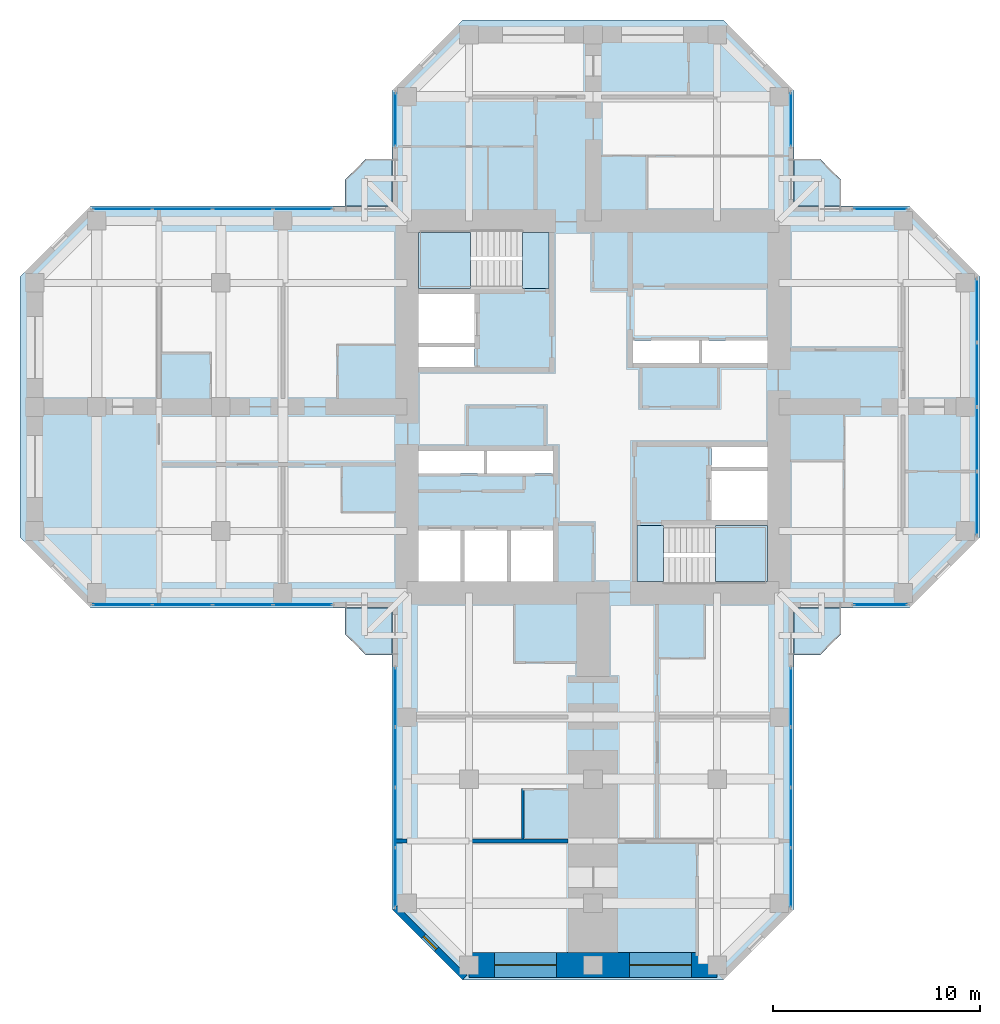
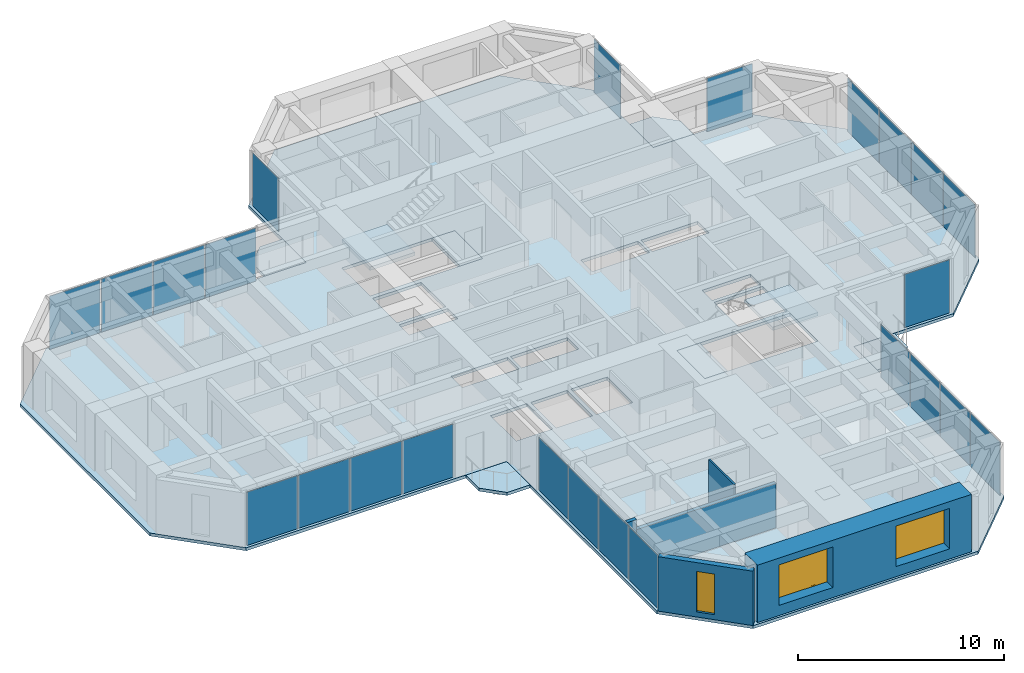
# One storey, part 7 of 14: 24 plates, 9 slabs, 5 walls, 3 windows, 3 openings, 11 elements without a shape of their own.
"""IFC4 building model written with IfcOpenShell, lengths in metres."""

from ifc_helpers import new_model, si_unit, direction, frame, frame_2d, origin, origin_2d, place, context, subcontext, project, spatial, polyline, rectangle, hollow_rectangle, outline, extrude, material, layer, layer_set, constituent, constituent_set, type_object, element, fill, aggregate, save


model = new_model("IFC4")

# Units and contexts
model_context = context("Model", 3, precision=1e-05, world=origin(), true_north=direction((0.0, 1.0)))
body_context = subcontext(model_context, "Body", "Model", "MODEL_VIEW")
ifc_project = project(units=[si_unit("LENGTHUNIT", "METRE"), si_unit("AREAUNIT", "SQUARE_METRE"), si_unit("VOLUMEUNIT", "CUBIC_METRE"), si_unit("PLANEANGLEUNIT", "RADIAN"), si_unit("MASSUNIT", "GRAM", prefix="KILO")], contexts=[model_context])

# Site, building, storey
site_placement = place(None, origin())
site = spatial("IfcSite", under=ifc_project, at=site_placement, CompositionType="ELEMENT")
building_placement = place(site_placement, origin())
building = spatial("IfcBuilding", under=site, at=building_placement, Name="Torre Cruceta", CompositionType="ELEMENT")
storey_placement = place(building_placement, frame((0.0, 0.0, 206.89990234375)))
storey = spatial("IfcBuildingStorey", under=building, at=storey_placement, Name="L52", CompositionType="ELEMENT", Elevation=206.89990234375)

# Slabs
ifc_material_1 = material(Name="Concrete G35 (fck 35 MPa)", Category="concrete")
ifc_layer_1 = layer(ifc_material_1, 0.179931640625)
ifc_layer_set_1 = layer_set([ifc_layer_1], Name="Concrete G35 (fck 35 MPa)")
slab_type_1 = type_object("IfcSlabType", Name="BALCONY SLAB 180", PredefinedType="USERDEFINED", material=ifc_layer_set_1)
slab_1_placement = place(storey_placement, frame((0.0, 0.0, -0.179931640625)))
element("IfcSlab", 1, at=slab_1_placement, inside=storey, type_object=slab_type_1, Name="Balcony slab L52 N", ObjectType="BALCONY", PredefinedType="USERDEFINED", context=body_context, shape_type="SweptSolid", body=[
    extrude(outline(polyline([(-12.0, 11.0), (-11.0, 12.0), (-9.719970703125, 12.0), (-9.719970703125, 9.719970703125), (-12.0, 9.719970703125), (-12.0, 11.0)])), origin(), (0.0, 0.0, 1.0), 0.179931640625),
])
slab_2_placement = place(storey_placement, frame((0.0, 0.0, -0.179931640625)))
element("IfcSlab", 2, at=slab_2_placement, inside=storey, type_object=slab_type_1, Name="Balcony slab L52 E", ObjectType="BALCONY", PredefinedType="USERDEFINED", context=body_context, shape_type="SweptSolid", body=[
    extrude(outline(polyline([(11.0, 12.0), (12.0, 11.0), (12.0, 9.719970703125), (9.719970703125, 9.719970703125), (9.719970703125, 12.0), (11.0, 12.0)])), origin(), (0.0, 0.0, 1.0), 0.179931640625),
])
slab_3_placement = place(storey_placement, frame((0.0, 0.0, -0.179931640625)))
element("IfcSlab", 3, at=slab_3_placement, inside=storey, type_object=slab_type_1, Name="Balcony slab L52 S", ObjectType="BALCONY", PredefinedType="USERDEFINED", context=body_context, shape_type="SweptSolid", body=[
    extrude(outline(polyline([(12.0, -11.0), (11.0, -12.0), (9.719970703125, -12.0), (9.719970703125, -9.719970703125), (12.0, -9.719970703125), (12.0, -11.0)])), origin(), (0.0, 0.0, 1.0), 0.179931640625),
])
slab_4_placement = place(storey_placement, frame((0.0, 0.0, -0.179931640625)))
element("IfcSlab", 4, at=slab_4_placement, inside=storey, type_object=slab_type_1, Name="Balcony slab L52 W", ObjectType="BALCONY", PredefinedType="USERDEFINED", context=body_context, shape_type="SweptSolid", body=[
    extrude(outline(polyline([(-11.0, -12.0), (-12.0, -11.0), (-12.0, -9.719970703125), (-9.719970703125, -9.719970703125), (-9.719970703125, -12.0), (-11.0, -12.0)])), origin(), (0.0, 0.0, 1.0), 0.179931640625),
])

# Curtain wall, plate
ifc_material_2 = material(Name="Aluminium unitised curtain wall", Category="aluminium")
curtain_wall_type = type_object("IfcCurtainWallType", Name="CURTAIN WALL CW-C CO-LIVING", PredefinedType="USERDEFINED", material=ifc_material_2)
curtain_wall_1_placement = place(storey_placement, origin())
curtain_wall_1 = element("IfcCurtainWall", 5, at=curtain_wall_1_placement, inside=storey, type_object=curtain_wall_type, Name="CW-C L52 E tip 02", ObjectType="UNITISED", PredefinedType="USERDEFINED")
ifc_material_3 = material(Name="Laminated insulating glass unit, diagonal frit 50 %", Category="glass")
ifc_material_4 = material(Name="Laminated insulating glass unit, diagonal frit 50 %", Category="glass")
ifc_layer_2 = layer(ifc_material_4, 0.030029296875)
ifc_layer_set_2 = layer_set([ifc_layer_2], Name="Laminated insulating glass unit, diagonal frit 50 %")
plate_type_1 = type_object("IfcPlateType", Name="CW-C OPERABLE VENT PANEL 30", PredefinedType="CURTAIN_PANEL", material=ifc_layer_set_2)
plate_1_placement = place(storey_placement, frame((18.570068359375, -1.55908203125, 0.01025390625), z_axis=(0.0, 0.0, 1.0), x_axis=(0.0, 1.0, 0.0)))
plate_1 = element("IfcPlate", 6, at=plate_1_placement, type_object=plate_type_1, material=ifc_material_3, Name="CW-C vent 2", PredefinedType="CURTAIN_PANEL", context=body_context, shape_type="SweptSolid", body=[
    extrude(rectangle(XDim=3.05810546875, YDim=0.030029296875, at=origin_2d()), origin(), (0.0, 0.0, 1.0), 3.14990234375),
])

curtain_wall_2_placement = place(storey_placement, origin())
curtain_wall_2 = element("IfcCurtainWall", 7, at=curtain_wall_2_placement, inside=storey, type_object=curtain_wall_type, Name="CW-C L52 W side 10", ObjectType="UNITISED", PredefinedType="USERDEFINED")
plate_2_placement = place(storey_placement, frame((-16.94482421875, 9.570068359375, 0.01025390625), z_axis=(0.0, 0.0, 1.0), x_axis=(-1.0, 0.0, 0.0)))
plate_2 = element("IfcPlate", 8, at=plate_2_placement, type_object=plate_type_1, material=ifc_material_3, Name="CW-C vent 2", PredefinedType="CURTAIN_PANEL", context=body_context, shape_type="SweptSolid", body=[
    extrude(rectangle(XDim=2.8564453125, YDim=0.030029296875, at=origin_2d()), origin(), (0.0, 0.0, 1.0), 3.14990234375),
])

curtain_wall_3_placement = place(storey_placement, origin())
curtain_wall_3 = element("IfcCurtainWall", 9, at=curtain_wall_3_placement, inside=storey, type_object=curtain_wall_type, Name="CW-C L52 W side 14", ObjectType="UNITISED", PredefinedType="USERDEFINED")
plate_3_placement = place(storey_placement, frame((-19.861328125, -9.570068359375, 0.01025390625), z_axis=(0.0, 0.0, 1.0), x_axis=(1.0, 0.0, 0.0)))
plate_3 = element("IfcPlate", 10, at=plate_3_placement, type_object=plate_type_1, material=ifc_material_3, Name="CW-C vent 2", PredefinedType="CURTAIN_PANEL", context=body_context, shape_type="SweptSolid", body=[
    extrude(rectangle(XDim=2.8564453125, YDim=0.030029296875, at=origin_2d()), origin(), (0.0, 0.0, 1.0), 3.14990234375),
])

curtain_wall_4_placement = place(storey_placement, origin())
curtain_wall_4 = element("IfcCurtainWall", 11, at=curtain_wall_4_placement, inside=storey, type_object=curtain_wall_type, Name="CW-C L52 S side 15", ObjectType="UNITISED", PredefinedType="USERDEFINED")
plate_4_placement = place(storey_placement, frame((-9.570068359375, -16.94482421875, 0.01025390625), z_axis=(0.0, 0.0, 1.0), x_axis=(0.0, -1.0, 0.0)))
plate_4 = element("IfcPlate", 12, at=plate_4_placement, type_object=plate_type_1, material=ifc_material_3, Name="CW-C vent 2", PredefinedType="CURTAIN_PANEL", context=body_context, shape_type="SweptSolid", body=[
    extrude(rectangle(XDim=2.8564453125, YDim=0.030029296875, at=origin_2d()), origin(), (0.0, 0.0, 1.0), 3.14990234375),
])

curtain_wall_5_placement = place(storey_placement, origin())
curtain_wall_5 = element("IfcCurtainWall", 13, at=curtain_wall_5_placement, inside=storey, type_object=curtain_wall_type, Name="CW-C L52 S side 19", ObjectType="UNITISED", PredefinedType="USERDEFINED")
plate_5_placement = place(storey_placement, frame((9.570068359375, -19.861328125, 0.01025390625), z_axis=(0.0, 0.0, 1.0), x_axis=(0.0, 1.0, 0.0)))
plate_5 = element("IfcPlate", 14, at=plate_5_placement, type_object=plate_type_1, material=ifc_material_3, Name="CW-C vent 2", PredefinedType="CURTAIN_PANEL", context=body_context, shape_type="SweptSolid", body=[
    extrude(rectangle(XDim=2.8564453125, YDim=0.030029296875, at=origin_2d()), origin(), (0.0, 0.0, 1.0), 3.14990234375),
])

curtain_wall_6_placement = place(storey_placement, origin())
curtain_wall_6 = element("IfcCurtainWall", 15, at=curtain_wall_6_placement, inside=storey, type_object=curtain_wall_type, Name="CW-C L52 E side 00", ObjectType="UNITISED", PredefinedType="USERDEFINED")
ifc_material_5 = material(Name="Laminated insulating glass unit, diagonal frit 50 %", Category="glass")
ifc_layer_3 = layer(ifc_material_5, 0.030029296875)
ifc_layer_set_3 = layer_set([ifc_layer_3], Name="Laminated insulating glass unit, diagonal frit 50 %")
plate_type_2 = type_object("IfcPlateType", Name="CW-C PANEL 30", PredefinedType="CURTAIN_PANEL", material=ifc_layer_set_3)
plate_6_placement = place(storey_placement, frame((13.903076171875, -9.570068359375, 0.01025390625), z_axis=(0.0, 0.0, 1.0), x_axis=(1.0, 0.0, 0.0)))
plate_6 = element("IfcPlate", 16, at=plate_6_placement, type_object=plate_type_2, material=ifc_material_3, Name="CW-C panel 1", PredefinedType="CURTAIN_PANEL", context=body_context, shape_type="SweptSolid", body=[
    extrude(rectangle(XDim=2.546142578125, YDim=0.030029296875, at=origin_2d()), origin(), (0.0, 0.0, 1.0), 3.14990234375),
])
aggregate(curtain_wall_6, [plate_6])

# Plate
plate_7_placement = place(storey_placement, frame((18.570068359375, -4.662109375, 0.01025390625), z_axis=(0.0, 0.0, 1.0), x_axis=(0.0, 1.0, 0.0)))
plate_7 = element("IfcPlate", 17, at=plate_7_placement, type_object=plate_type_2, material=ifc_material_3, Name="CW-C panel 1", PredefinedType="CURTAIN_PANEL", context=body_context, shape_type="SweptSolid", body=[
    extrude(rectangle(XDim=3.028076171875, YDim=0.030029296875, at=origin_2d()), origin(), (0.0, 0.0, 1.0), 3.14990234375),
])

ifc_material_6 = material(Name="Laminated insulating glass unit, low-iron clear", Category="glass")
plate_8_placement = place(storey_placement, frame((18.570068359375, 1.55908203125, 0.01025390625), z_axis=(0.0, 0.0, 1.0), x_axis=(0.0, 1.0, 0.0)))
plate_8 = element("IfcPlate", 18, at=plate_8_placement, type_object=plate_type_2, material=ifc_material_6, Name="CW-C panel 3", PredefinedType="CURTAIN_PANEL", context=body_context, shape_type="SweptSolid", body=[
    extrude(rectangle(XDim=3.05810546875, YDim=0.030029296875, at=origin_2d()), origin(), (0.0, 0.0, 1.0), 3.14990234375),
])

plate_9_placement = place(storey_placement, frame((18.570068359375, 4.662109375, 0.01025390625), z_axis=(0.0, 0.0, 1.0), x_axis=(0.0, 1.0, 0.0)))
plate_9 = element("IfcPlate", 19, at=plate_9_placement, type_object=plate_type_2, material=ifc_material_6, Name="CW-C panel 4", PredefinedType="CURTAIN_PANEL", context=body_context, shape_type="SweptSolid", body=[
    extrude(rectangle(XDim=3.028076171875, YDim=0.030029296875, at=origin_2d()), origin(), (0.0, 0.0, 1.0), 3.14990234375),
])

aggregate(curtain_wall_1, [plate_7, plate_1, plate_8, plate_9])

# Curtain wall, plate
curtain_wall_7_placement = place(storey_placement, origin())
curtain_wall_7 = element("IfcCurtainWall", 20, at=curtain_wall_7_placement, inside=storey, type_object=curtain_wall_type, Name="CW-C L52 E side 04", ObjectType="UNITISED", PredefinedType="USERDEFINED")
plate_10_placement = place(storey_placement, frame((13.903076171875, 9.570068359375, 0.01025390625), z_axis=(0.0, 0.0, 1.0), x_axis=(-1.0, 0.0, 0.0)))
plate_10 = element("IfcPlate", 21, at=plate_10_placement, type_object=plate_type_2, material=ifc_material_3, Name="CW-C panel 1", PredefinedType="CURTAIN_PANEL", context=body_context, shape_type="SweptSolid", body=[
    extrude(rectangle(XDim=2.546142578125, YDim=0.030029296875, at=origin_2d()), origin(), (0.0, 0.0, 1.0), 3.14990234375),
])
aggregate(curtain_wall_7, [plate_10])

curtain_wall_8_placement = place(storey_placement, origin())
curtain_wall_8 = element("IfcCurtainWall", 22, at=curtain_wall_8_placement, inside=storey, type_object=curtain_wall_type, Name="CW-C L52 N side 05", ObjectType="UNITISED", PredefinedType="USERDEFINED")
plate_11_placement = place(storey_placement, frame((9.570068359375, 13.903076171875, 0.01025390625), z_axis=(0.0, 0.0, 1.0), x_axis=(0.0, 1.0, 0.0)))
plate_11 = element("IfcPlate", 23, at=plate_11_placement, type_object=plate_type_2, material=ifc_material_3, Name="CW-C panel 1", PredefinedType="CURTAIN_PANEL", context=body_context, shape_type="SweptSolid", body=[
    extrude(rectangle(XDim=2.546142578125, YDim=0.030029296875, at=origin_2d()), origin(), (0.0, 0.0, 1.0), 3.14990234375),
])
aggregate(curtain_wall_8, [plate_11])

curtain_wall_9_placement = place(storey_placement, origin())
curtain_wall_9 = element("IfcCurtainWall", 24, at=curtain_wall_9_placement, inside=storey, type_object=curtain_wall_type, Name="CW-C L52 N side 09", ObjectType="UNITISED", PredefinedType="USERDEFINED")
plate_12_placement = place(storey_placement, frame((-9.570068359375, 13.903076171875, 0.01025390625), z_axis=(0.0, 0.0, 1.0), x_axis=(0.0, -1.0, 0.0)))
plate_12 = element("IfcPlate", 25, at=plate_12_placement, type_object=plate_type_2, material=ifc_material_3, Name="CW-C panel 1", PredefinedType="CURTAIN_PANEL", context=body_context, shape_type="SweptSolid", body=[
    extrude(rectangle(XDim=2.546142578125, YDim=0.030029296875, at=origin_2d()), origin(), (0.0, 0.0, 1.0), 3.14990234375),
])
aggregate(curtain_wall_9, [plate_12])

# Plate
plate_13_placement = place(storey_placement, frame((-14.043212890625, 9.570068359375, 0.01025390625), z_axis=(0.0, 0.0, 1.0), x_axis=(-1.0, 0.0, 0.0)))
plate_13 = element("IfcPlate", 26, at=plate_13_placement, type_object=plate_type_2, material=ifc_material_3, Name="CW-C panel 1", PredefinedType="CURTAIN_PANEL", context=body_context, shape_type="SweptSolid", body=[
    extrude(rectangle(XDim=2.826416015625, YDim=0.030029296875, at=origin_2d()), origin(), (0.0, 0.0, 1.0), 3.14990234375),
])

plate_14_placement = place(storey_placement, frame((-19.861328125, 9.570068359375, 0.01025390625), z_axis=(0.0, 0.0, 1.0), x_axis=(-1.0, 0.0, 0.0)))
plate_14 = element("IfcPlate", 27, at=plate_14_placement, type_object=plate_type_2, material=ifc_material_6, Name="CW-C panel 3", PredefinedType="CURTAIN_PANEL", context=body_context, shape_type="SweptSolid", body=[
    extrude(rectangle(XDim=2.8564453125, YDim=0.030029296875, at=origin_2d()), origin(), (0.0, 0.0, 1.0), 3.14990234375),
])

plate_15_placement = place(storey_placement, frame((-22.762939453125, 9.570068359375, 0.01025390625), z_axis=(0.0, 0.0, 1.0), x_axis=(-1.0, 0.0, 0.0)))
plate_15 = element("IfcPlate", 28, at=plate_15_placement, type_object=plate_type_2, material=ifc_material_6, Name="CW-C panel 4", PredefinedType="CURTAIN_PANEL", context=body_context, shape_type="SweptSolid", body=[
    extrude(rectangle(XDim=2.826416015625, YDim=0.030029296875, at=origin_2d()), origin(), (0.0, 0.0, 1.0), 3.14990234375),
])

aggregate(curtain_wall_2, [plate_13, plate_2, plate_14, plate_15])

plate_16_placement = place(storey_placement, frame((-22.762939453125, -9.570068359375, 0.01025390625), z_axis=(0.0, 0.0, 1.0), x_axis=(1.0, 0.0, 0.0)))
plate_16 = element("IfcPlate", 29, at=plate_16_placement, type_object=plate_type_2, material=ifc_material_3, Name="CW-C panel 1", PredefinedType="CURTAIN_PANEL", context=body_context, shape_type="SweptSolid", body=[
    extrude(rectangle(XDim=2.826416015625, YDim=0.030029296875, at=origin_2d()), origin(), (0.0, 0.0, 1.0), 3.14990234375),
])

plate_17_placement = place(storey_placement, frame((-16.94482421875, -9.570068359375, 0.01025390625), z_axis=(0.0, 0.0, 1.0), x_axis=(1.0, 0.0, 0.0)))
plate_17 = element("IfcPlate", 30, at=plate_17_placement, type_object=plate_type_2, material=ifc_material_6, Name="CW-C panel 3", PredefinedType="CURTAIN_PANEL", context=body_context, shape_type="SweptSolid", body=[
    extrude(rectangle(XDim=2.8564453125, YDim=0.030029296875, at=origin_2d()), origin(), (0.0, 0.0, 1.0), 3.14990234375),
])

plate_18_placement = place(storey_placement, frame((-14.043212890625, -9.570068359375, 0.01025390625), z_axis=(0.0, 0.0, 1.0), x_axis=(1.0, 0.0, 0.0)))
plate_18 = element("IfcPlate", 31, at=plate_18_placement, type_object=plate_type_2, material=ifc_material_6, Name="CW-C panel 4", PredefinedType="CURTAIN_PANEL", context=body_context, shape_type="SweptSolid", body=[
    extrude(rectangle(XDim=2.826416015625, YDim=0.030029296875, at=origin_2d()), origin(), (0.0, 0.0, 1.0), 3.14990234375),
])

aggregate(curtain_wall_3, [plate_16, plate_3, plate_17, plate_18])

plate_19_placement = place(storey_placement, frame((-9.570068359375, -14.043212890625, 0.01025390625), z_axis=(0.0, 0.0, 1.0), x_axis=(0.0, -1.0, 0.0)))
plate_19 = element("IfcPlate", 32, at=plate_19_placement, type_object=plate_type_2, material=ifc_material_3, Name="CW-C panel 1", PredefinedType="CURTAIN_PANEL", context=body_context, shape_type="SweptSolid", body=[
    extrude(rectangle(XDim=2.826416015625, YDim=0.030029296875, at=origin_2d()), origin(), (0.0, 0.0, 1.0), 3.14990234375),
])

plate_20_placement = place(storey_placement, frame((-9.570068359375, -19.861328125, 0.01025390625), z_axis=(0.0, 0.0, 1.0), x_axis=(0.0, -1.0, 0.0)))
plate_20 = element("IfcPlate", 33, at=plate_20_placement, type_object=plate_type_2, material=ifc_material_6, Name="CW-C panel 3", PredefinedType="CURTAIN_PANEL", context=body_context, shape_type="SweptSolid", body=[
    extrude(rectangle(XDim=2.8564453125, YDim=0.030029296875, at=origin_2d()), origin(), (0.0, 0.0, 1.0), 3.14990234375),
])

plate_21_placement = place(storey_placement, frame((-9.570068359375, -22.762939453125, 0.01025390625), z_axis=(0.0, 0.0, 1.0), x_axis=(0.0, -1.0, 0.0)))
plate_21 = element("IfcPlate", 34, at=plate_21_placement, type_object=plate_type_2, material=ifc_material_6, Name="CW-C panel 4", PredefinedType="CURTAIN_PANEL", context=body_context, shape_type="SweptSolid", body=[
    extrude(rectangle(XDim=2.826416015625, YDim=0.030029296875, at=origin_2d()), origin(), (0.0, 0.0, 1.0), 3.14990234375),
])

aggregate(curtain_wall_4, [plate_19, plate_4, plate_20, plate_21])

plate_22_placement = place(storey_placement, frame((9.570068359375, -22.762939453125, 0.01025390625), z_axis=(0.0, 0.0, 1.0), x_axis=(0.0, 1.0, 0.0)))
plate_22 = element("IfcPlate", 35, at=plate_22_placement, type_object=plate_type_2, material=ifc_material_3, Name="CW-C panel 1", PredefinedType="CURTAIN_PANEL", context=body_context, shape_type="SweptSolid", body=[
    extrude(rectangle(XDim=2.826416015625, YDim=0.030029296875, at=origin_2d()), origin(), (0.0, 0.0, 1.0), 3.14990234375),
])

plate_23_placement = place(storey_placement, frame((9.570068359375, -16.94482421875, 0.01025390625), z_axis=(0.0, 0.0, 1.0), x_axis=(0.0, 1.0, 0.0)))
plate_23 = element("IfcPlate", 36, at=plate_23_placement, type_object=plate_type_2, material=ifc_material_6, Name="CW-C panel 3", PredefinedType="CURTAIN_PANEL", context=body_context, shape_type="SweptSolid", body=[
    extrude(rectangle(XDim=2.8564453125, YDim=0.030029296875, at=origin_2d()), origin(), (0.0, 0.0, 1.0), 3.14990234375),
])

plate_24_placement = place(storey_placement, frame((9.570068359375, -14.043212890625, 0.01025390625), z_axis=(0.0, 0.0, 1.0), x_axis=(0.0, 1.0, 0.0)))
plate_24 = element("IfcPlate", 37, at=plate_24_placement, type_object=plate_type_2, material=ifc_material_6, Name="CW-C panel 4", PredefinedType="CURTAIN_PANEL", context=body_context, shape_type="SweptSolid", body=[
    extrude(rectangle(XDim=2.826416015625, YDim=0.030029296875, at=origin_2d()), origin(), (0.0, 0.0, 1.0), 3.14990234375),
])

aggregate(curtain_wall_5, [plate_22, plate_5, plate_23, plate_24])

# Slab
ifc_material_7 = material(Name="Concrete G35 (fck 35 MPa)", Category="concrete")
ifc_layer_4 = layer(ifc_material_7, 0.179931640625)
ifc_layer_set_4 = layer_set([ifc_layer_4], Name="Concrete G35 (fck 35 MPa)")
slab_type_2 = type_object("IfcSlabType", Name="FLOOR SLAB 180", PredefinedType="FLOOR", material=ifc_layer_set_4)
slab_5_placement = place(storey_placement, frame((0.0, 0.0, -0.179931640625)))
element("IfcSlab", 38, at=slab_5_placement, inside=storey, type_object=slab_type_2, Name="Floor Slab L52", PredefinedType="FLOOR", context=body_context, shape_type="SweptSolid", body=[
    extrude(outline(polyline([(9.719970703125, -9.719970703125), (9.719970703125, -24.29833984375), (6.29833984375, -27.719970703125), (-6.29833984375, -27.719970703125), (-9.719970703125, -24.29833984375), (-9.719970703125, -9.719970703125), (-24.29833984375, -9.719970703125), (-27.719970703125, -6.29833984375), (-27.719970703125, 6.29833984375), (-24.29833984375, 9.719970703125), (-9.719970703125, 9.719970703125), (-9.719970703125, 15.29833984375), (-6.29833984375, 18.719970703125), (6.29833984375, 18.719970703125), (9.719970703125, 15.29833984375), (9.719970703125, 9.719970703125), (15.29833984375, 9.719970703125), (18.719970703125, 6.29833984375), (18.719970703125, -6.29833984375), (15.29833984375, -9.719970703125), (9.719970703125, -9.719970703125)]), holes=[polyline([(1.925048828125, 2.125), (5.125, 2.125), (5.125, 3.22509765625), (1.925048828125, 3.22509765625), (1.925048828125, 2.125)]), polyline([(5.27490234375, 2.125), (8.449951171875, 2.125), (8.449951171875, 3.22509765625), (5.27490234375, 3.22509765625), (5.27490234375, 2.125)]), polyline([(-8.449951171875, 3.10009765625), (-5.72509765625, 3.10009765625), (-5.72509765625, 5.47509765625), (-8.449951171875, 5.47509765625), (-8.449951171875, 3.10009765625)]), polyline([(-8.449951171875, 1.925048828125), (-5.72509765625, 1.925048828125), (-5.72509765625, 2.89990234375), (-8.449951171875, 2.89990234375), (-8.449951171875, 1.925048828125)]), polyline([(-3.966552734375, -8.449951171875), (-1.925048828125, -8.449951171875), (-1.925048828125, -5.97509765625), (-3.966552734375, -5.97509765625), (-3.966552734375, -8.449951171875)]), polyline([(-6.208251953125, -8.449951171875), (-4.166748046875, -8.449951171875), (-4.166748046875, -5.97509765625), (-6.208251953125, -5.97509765625), (-6.208251953125, -8.449951171875)]), polyline([(-8.449951171875, -8.449951171875), (-6.408447265625, -8.449951171875), (-6.408447265625, -5.97509765625), (-8.449951171875, -5.97509765625), (-8.449951171875, -8.449951171875)]), polyline([(-5.125, -3.22509765625), (-1.925048828125, -3.22509765625), (-1.925048828125, -2.125), (-5.125, -2.125), (-5.125, -3.22509765625)]), polyline([(-8.449951171875, -3.22509765625), (-5.27490234375, -3.22509765625), (-5.27490234375, -2.125), (-8.449951171875, -2.125), (-8.449951171875, -3.22509765625)]), polyline([(5.72509765625, -5.47509765625), (8.449951171875, -5.47509765625), (8.449951171875, -3.10009765625), (5.72509765625, -3.10009765625), (5.72509765625, -5.47509765625)]), polyline([(5.72509765625, -2.89990234375), (8.449951171875, -2.89990234375), (8.449951171875, -1.925048828125), (5.72509765625, -1.925048828125), (5.72509765625, -2.89990234375)]), polyline([(-8.449951171875, 5.72509765625), (-8.449951171875, 8.449951171875), (-3.39990234375, 8.449951171875), (-2.125, 8.449951171875), (-2.125, 5.72509765625), (-3.39990234375, 5.72509765625), (-8.449951171875, 5.72509765625)]), polyline([(2.125, -5.72509765625), (3.39990234375, -5.72509765625), (8.449951171875, -5.72509765625), (8.449951171875, -8.449951171875), (3.39990234375, -8.449951171875), (2.125, -8.449951171875), (2.125, -5.72509765625)])]), origin(), (0.0, 0.0, 1.0), 0.179931640625),
])

# Stair, slab
ifc_material_8 = material(Name="Concrete G30 (fck 30 MPa)", Category="concrete")
stair_type = type_object("IfcStairType", Name="STAIR HALF-TURN 1300", PredefinedType="HALF_TURN_STAIR", material=ifc_material_8)
stair_1_placement = place(storey_placement, origin())
stair_1 = element("IfcStair", 39, at=stair_1_placement, inside=storey, type_object=stair_type, Name="Stair ST1 L52", PredefinedType="HALF_TURN_STAIR")
ifc_material_9 = material(Name="Concrete G30 (fck 30 MPa)", Category="concrete")
ifc_layer_5 = layer(ifc_material_9, 0.199951171875)
ifc_layer_set_5 = layer_set([ifc_layer_5], Name="Concrete G30 (fck 30 MPa)")
slab_type_3 = type_object("IfcSlabType", Name="STAIR LANDING 200", PredefinedType="LANDING", material=ifc_layer_set_5)
slab_6_placement = place(storey_placement, frame((0.0, 0.0, 1.5)))
slab_6 = element("IfcSlab", 40, at=slab_6_placement, type_object=slab_type_3, Name="ST1 landing 1", PredefinedType="LANDING", context=body_context, shape_type="SweptSolid", body=[
    extrude(outline(polyline([(-8.449951171875, 5.72509765625), (-5.919921875, 5.72509765625), (-5.919921875, 8.449951171875), (-8.449951171875, 8.449951171875), (-8.449951171875, 5.72509765625)])), origin(), (0.0, 0.0, 1.0), 0.2001953125),
])
aggregate(stair_1, [slab_6])

stair_2_placement = place(storey_placement, origin())
stair_2 = element("IfcStair", 41, at=stair_2_placement, inside=storey, type_object=stair_type, Name="Stair ST2 L52", PredefinedType="HALF_TURN_STAIR")
slab_7_placement = place(storey_placement, frame((0.0, 0.0, 1.5)))
slab_7 = element("IfcSlab", 42, at=slab_7_placement, type_object=slab_type_3, Name="ST2 landing 1", PredefinedType="LANDING", context=body_context, shape_type="SweptSolid", body=[
    extrude(outline(polyline([(5.919921875, -8.449951171875), (8.449951171875, -8.449951171875), (8.449951171875, -5.72509765625), (5.919921875, -5.72509765625), (5.919921875, -8.449951171875)])), origin(), (0.0, 0.0, 1.0), 0.2001953125),
])
aggregate(stair_2, [slab_7])

# Slabs
slab_8_placement = place(storey_placement, frame((0.0, 0.0, -0.199951171875)))
element("IfcSlab", 43, at=slab_8_placement, inside=storey, type_object=slab_type_3, Name="Stair ST1 floor landing L52", PredefinedType="LANDING", context=body_context, shape_type="SweptSolid", body=[
    extrude(outline(polyline([(-2.125, 8.449951171875), (-2.125, 5.72509765625), (-3.39990234375, 5.72509765625), (-3.39990234375, 8.449951171875), (-2.125, 8.449951171875)])), origin(), (0.0, 0.0, 1.0), 0.199951171875),
])
slab_9_placement = place(storey_placement, frame((0.0, 0.0, -0.199951171875)))
element("IfcSlab", 44, at=slab_9_placement, inside=storey, type_object=slab_type_3, Name="Stair ST2 floor landing L52", PredefinedType="LANDING", context=body_context, shape_type="SweptSolid", body=[
    extrude(outline(polyline([(2.125, -8.449951171875), (2.125, -5.72509765625), (3.39990234375, -5.72509765625), (3.39990234375, -8.449951171875), (2.125, -8.449951171875)])), origin(), (0.0, 0.0, 1.0), 0.199951171875),
])

# Wall
ifc_material_10 = material(Name="Water-resistant plasterboard on steel studs", Category="steel")
ifc_layer_6 = layer(ifc_material_10, 0.10009765625)
ifc_layer_set_6 = layer_set([ifc_layer_6], Name="Water-resistant plasterboard on steel studs")
wall_type_1 = type_object("IfcWallType", Name="BATHROOM WALL 100", PredefinedType="PARTITIONING", material=ifc_layer_set_6)
wall_1_placement = place(storey_placement, frame((-3.39990234375, -18.449951171875, 0.0), z_axis=(0.0, 0.0, 1.0), x_axis=(0.0, -1.0, 0.0)))
element("IfcWall", 45, at=wall_1_placement, inside=storey, type_object=wall_type_1, Name="PT4 L52-S-U2RBB", PredefinedType="PARTITIONING", context=body_context, shape_type="SweptSolid", body=[
    extrude(rectangle(XDim=2.449951171875, YDim=0.10009765625, at=frame_2d((1.22509765625, 0.0))), origin(), (0.0, 0.0, 1.0), 3.22021484375),
])

# Wall, opening, window
ifc_material_11 = material(Name="Concrete G30 (fck 30 MPa)", Category="concrete")
ifc_layer_7 = layer(ifc_material_11, 0.300048828125)
ifc_layer_set_7 = layer_set([ifc_layer_7], Name="Concrete G30 (fck 30 MPa)")
wall_type_2 = type_object("IfcWallType", Name="EXPOSED CONCRETE FACADE WALL 300", PredefinedType="SOLIDWALL", material=ifc_layer_set_7)
wall_2_placement = place(storey_placement, frame((-9.570068359375, -24.236083984375, 0.0), z_axis=(0.0, 0.0, 1.0), x_axis=(0.707106781187, -0.707106781187, 0.0)))
wall_2 = element("IfcWall", 46, at=wall_2_placement, inside=storey, type_object=wall_type_2, Name="EW1 facade wall L52 S chamfer 16", PredefinedType="SOLIDWALL", context=body_context, shape_type="SweptSolid", body=[
    extrude(rectangle(XDim=4.75732421875, YDim=0.300048828125, at=frame_2d((2.378662109375, 0.0))), origin(), (0.0, 0.0, 1.0), 3.22021484375),
])
opening_1_placement = place(wall_2_placement, frame((1.9287109375, 0.0, 0.300048828125)))
opening_1 = element("IfcOpeningElement", 47, at=opening_1_placement, cuts=wall_2, Name="Opening WN5", PredefinedType="OPENING", context=body_context, shape_type="SweptSolid", body=[
    extrude(rectangle(XDim=0.89990234375, YDim=2.39990234375, at=frame_2d((0.449951171875, 1.199951171875))), frame((0.0, 0.159912109375, 0.0), z_axis=(0.0, -1.0, 0.0), x_axis=(1.0, 0.0, 0.0)), (0.0, 0.0, 1.0), 0.320068359375),
])
ifc_material_12 = material(Name="Aluminium window frame", Category="aluminium")
ifc_constituent_1 = constituent(ifc_material_12, Name="Frame")
ifc_material_13 = material(Name="Laminated insulating glass unit, low-iron clear", Category="glass")
ifc_constituent_2 = constituent(ifc_material_13, Name="Glazing")
ifc_constituent_set_1 = constituent_set(constituents=[ifc_constituent_1, ifc_constituent_2], Name="Aluminium window")
window_type_1 = type_object("IfcWindowType", Name="CHAMFER SLOT WINDOW 900X2400", PartitioningType="SINGLE_PANEL", PredefinedType="WINDOW", material=ifc_constituent_set_1)
window_1_placement = place(opening_1_placement, origin())
window_1 = element("IfcWindow", 48, at=window_1_placement, inside=storey, type_object=window_type_1, Name="WN5 L52 S 1", OverallHeight=2.39990234375, OverallWidth=0.89990234375, PartitioningType="SINGLE_PANEL", PredefinedType="WINDOW", context=body_context, shape_type="SweptSolid", body=[
    extrude(hollow_rectangle(XDim=0.89990234375, YDim=2.39990234375, WallThickness=0.06005859375, at=frame_2d((0.449951171875, 1.199951171875))), frame((0.0, 0.030029296875, 0.0), z_axis=(0.0, -1.0, 0.0), x_axis=(1.0, 0.0, 0.0)), (0.0, 0.0, 1.0), 0.06005859375),
    extrude(rectangle(XDim=0.77880859375, YDim=2.27880859375, at=frame_2d((0.449951171875, 1.199951171875))), frame((0.0, 0.030029296875, 0.0), z_axis=(0.0, -1.0, 0.0), x_axis=(1.0, 0.0, 0.0)), (0.0, 0.0, 1.0), 0.06005859375),
])
fill(opening_1, window_1)

# Wall, openings, windows
ifc_material_14 = material(Name="Concrete G60 (fck 60 MPa)", Category="concrete")
ifc_layer_8 = layer(ifc_material_14, 1.199951171875)
ifc_layer_set_8 = layer_set([ifc_layer_8], Name="Concrete G60 (fck 60 MPa)")
wall_type_3 = type_object("IfcWallType", Name="NOSE WALL 1200 G60", PredefinedType="SHEAR", material=ifc_layer_set_8)
wall_3_placement = place(storey_placement, frame((-6.0, -27.0, 0.0), z_axis=(0.0, 0.0, 1.0), x_axis=(1.0, 0.0, 0.0)))
wall_3 = element("IfcWall", 49, at=wall_3_placement, inside=storey, type_object=wall_type_3, Name="NW1 nose wall L52 S", PredefinedType="SHEAR", context=body_context, shape_type="SweptSolid", body=[
    extrude(rectangle(XDim=12.0, YDim=1.199951171875, at=frame_2d((6.0, 0.0))), origin(), (0.0, 0.0, 1.0), 3.400146484375),
])
opening_2_placement = place(wall_3_placement, frame((1.22509765625, 0.0, 0.60009765625)))
opening_2 = element("IfcOpeningElement", 50, at=opening_2_placement, cuts=wall_3, Name="Opening WN6", PredefinedType="OPENING", context=body_context, shape_type="SweptSolid", body=[
    extrude(rectangle(XDim=3.0, YDim=2.39990234375, at=frame_2d((1.5, 1.199951171875))), frame((0.0, 0.60986328125, 0.0), z_axis=(0.0, -1.0, 0.0), x_axis=(1.0, 0.0, 0.0)), (0.0, 0.0, 1.0), 1.219970703125),
])
opening_3_placement = place(wall_3_placement, frame((7.77490234375, 0.0, 0.60009765625)))
opening_3 = element("IfcOpeningElement", 51, at=opening_3_placement, cuts=wall_3, Name="Opening WN6", PredefinedType="OPENING", context=body_context, shape_type="SweptSolid", body=[
    extrude(rectangle(XDim=3.0, YDim=2.39990234375, at=frame_2d((1.5, 1.199951171875))), frame((0.0, 0.60986328125, 0.0), z_axis=(0.0, -1.0, 0.0), x_axis=(1.0, 0.0, 0.0)), (0.0, 0.0, 1.0), 1.219970703125),
])
ifc_material_15 = material(Name="Aluminium window frame", Category="aluminium")
ifc_constituent_3 = constituent(ifc_material_15, Name="Frame")
ifc_material_16 = material(Name="Laminated insulating glass unit, low-iron clear", Category="glass")
ifc_constituent_4 = constituent(ifc_material_16, Name="Glazing")
ifc_constituent_set_2 = constituent_set(constituents=[ifc_constituent_3, ifc_constituent_4], Name="Aluminium window")
window_type_2 = type_object("IfcWindowType", Name="NOSE WALL WINDOW 3000X2400", PartitioningType="SINGLE_PANEL", PredefinedType="WINDOW", material=ifc_constituent_set_2)
window_2_placement = place(opening_2_placement, origin())
window_2 = element("IfcWindow", 52, at=window_2_placement, inside=storey, type_object=window_type_2, Name="WN6 L52 S 1", OverallHeight=2.39990234375, OverallWidth=3.0, PartitioningType="SINGLE_PANEL", PredefinedType="WINDOW", context=body_context, shape_type="SweptSolid", body=[
    extrude(hollow_rectangle(XDim=3.0, YDim=2.39990234375, WallThickness=0.06005859375, at=frame_2d((1.5, 1.199951171875))), frame((0.0, 0.030029296875, 0.0), z_axis=(0.0, -1.0, 0.0), x_axis=(1.0, 0.0, 0.0)), (0.0, 0.0, 1.0), 0.06005859375),
    extrude(rectangle(XDim=2.87890625, YDim=2.27880859375, at=frame_2d((1.5, 1.199951171875))), frame((0.0, 0.030029296875, 0.0), z_axis=(0.0, -1.0, 0.0), x_axis=(1.0, 0.0, 0.0)), (0.0, 0.0, 1.0), 0.06005859375),
])
fill(opening_2, window_2)
window_3_placement = place(opening_3_placement, origin())
window_3 = element("IfcWindow", 53, at=window_3_placement, inside=storey, type_object=window_type_2, Name="WN6 L52 S 2", OverallHeight=2.39990234375, OverallWidth=3.0, PartitioningType="SINGLE_PANEL", PredefinedType="WINDOW", context=body_context, shape_type="SweptSolid", body=[
    extrude(hollow_rectangle(XDim=3.0, YDim=2.39990234375, WallThickness=0.06005859375, at=frame_2d((1.5, 1.199951171875))), frame((0.0, 0.030029296875, 0.0), z_axis=(0.0, -1.0, 0.0), x_axis=(1.0, 0.0, 0.0)), (0.0, 0.0, 1.0), 0.06005859375),
    extrude(rectangle(XDim=2.87890625, YDim=2.27880859375, at=frame_2d((1.5, 1.199951171875))), frame((0.0, 0.030029296875, 0.0), z_axis=(0.0, -1.0, 0.0), x_axis=(1.0, 0.0, 0.0)), (0.0, 0.0, 1.0), 0.06005859375),
])
fill(opening_3, window_3)

# Walls
ifc_material_17 = material(Name="Concrete G25 (fck 25 MPa)", Category="concrete")
ifc_layer_9 = layer(ifc_material_17, 0.199951171875)
ifc_layer_set_9 = layer_set([ifc_layer_9], Name="Concrete G25 (fck 25 MPa)")
wall_type_4 = type_object("IfcWallType", Name="UNIT SEPARATING WALL 200", PredefinedType="SOLIDWALL", material=ifc_layer_set_9)
wall_4_placement = place(storey_placement, frame((-9.530029296875, -21.0, 0.0), z_axis=(0.0, 0.0, 1.0), x_axis=(1.0, 0.0, 0.0)))
element("IfcWall", 54, at=wall_4_placement, inside=storey, type_object=wall_type_4, Name="PT2 L52-S-ENDa", PredefinedType="SOLIDWALL", context=body_context, shape_type="SweptSolid", body=[
    extrude(rectangle(XDim=0.530029296875, YDim=0.199951171875, at=frame_2d((0.26513671875, 0.0))), origin(), (0.0, 0.0, 1.0), 3.22021484375),
])
wall_5_placement = place(storey_placement, frame((-9.0, -21.0, 0.0), z_axis=(0.0, 0.0, 1.0), x_axis=(1.0, 0.0, 0.0)))
element("IfcWall", 55, at=wall_5_placement, inside=storey, type_object=wall_type_4, Name="PT2 L52-S-ENDa 2", PredefinedType="SOLIDWALL", context=body_context, shape_type="SweptSolid", body=[
    extrude(rectangle(XDim=7.800048828125, YDim=0.199951171875, at=frame_2d((3.89990234375, 0.0))), origin(), (0.0, 0.0, 1.0), 2.6201171875),
])

save(model, "model.ifc")
